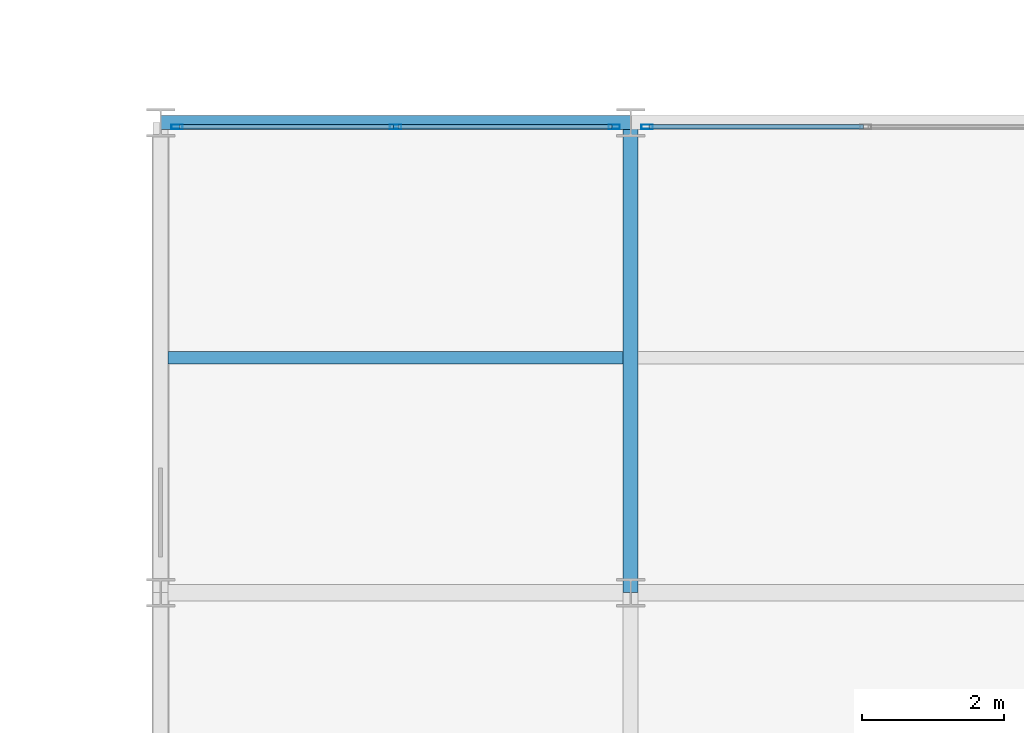
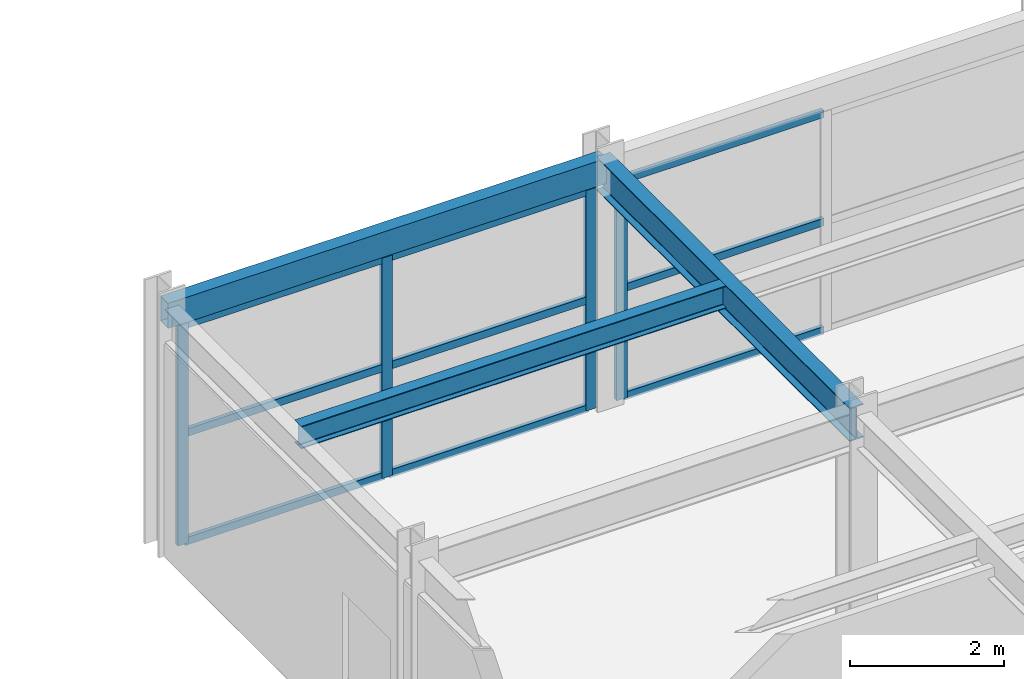
# One storey, part 65 of 157: 13 members, 3 beams, 2 elements without a shape of their own.
"""IFC4 building model written with IfcOpenShell, lengths in metres."""

from ifc_helpers import new_model, si_unit, direction, frame, origin, origin_2d, place, context, subcontext, project, spatial, hollow_rectangle, i_section, extrude, material, material_profile, profile_set, type_object, element, aggregate, save


model = new_model("IFC4")

# Units and contexts
model_context = context("Model", 3, precision=1e-05, world=origin(), true_north=direction((0.0, 1.0)))
body_context = subcontext(model_context, "Body", "Model", "MODEL_VIEW")
ifc_project = project(units=[si_unit("LENGTHUNIT", "METRE"), si_unit("AREAUNIT", "SQUARE_METRE"), si_unit("VOLUMEUNIT", "CUBIC_METRE"), si_unit("PLANEANGLEUNIT", "RADIAN"), si_unit("MASSUNIT", "GRAM", prefix="KILO")], contexts=[model_context])

# Site, building, storey
site_placement = place(None, origin())
site = spatial("IfcSite", under=ifc_project, at=site_placement, CompositionType="ELEMENT")
building_placement = place(site_placement, origin())
building = spatial("IfcBuilding", under=site, at=building_placement, Name="Karori Crest Natural Sciences Institute", CompositionType="ELEMENT")
storey_placement = place(building_placement, frame((0.0, 0.0, 13.300048828125)))
storey = spatial("IfcBuildingStorey", under=building, at=storey_placement, Name="L03", CompositionType="ELEMENT", Elevation=13.300048828125)

# Beams
ifc_material_1 = material(Name="Structural steel AS/NZS 3679.1 Grade 350", Category="steel")
ifc_material_profile_1 = material_profile(ifc_material_1, i_section(OverallWidth=0.208984375, OverallDepth=0.532958984375, WebThickness=0.01025390625, FlangeThickness=0.015625, FilletRadius=0.013916015625, at=origin_2d()), Name="530UB92.4")
ifc_profile_set_1 = profile_set([ifc_material_profile_1], Name="Structural steel AS/NZS 3679.1 Grade 350")
beam_type_1 = type_object("IfcBeamType", Name="BT-05", PredefinedType="BEAM", material=ifc_profile_set_1)
beam_1_placement = place(storey_placement, frame((110.199951171875, 14.0, 3.653564453125), z_axis=(0.0, 1.0, 0.0), x_axis=(-1.0, 0.0, 0.0)))
element("IfcBeam", 1, at=beam_1_placement, inside=storey, type_object=beam_type_1, Name="Beam B-2320", PredefinedType="BEAM", context=body_context, shape_type="SweptSolid", body=[
    extrude(i_section(OverallWidth=0.208984375, OverallDepth=0.532958984375, WebThickness=0.01025390625, FlangeThickness=0.015625, FilletRadius=0.013916015625, at=origin_2d()), origin(), (0.0, 0.0, 1.0), 6.60009765625),
])
ifc_material_profile_2 = material_profile(ifc_material_1, i_section(OverallWidth=0.172119140625, OverallDepth=0.35888671875, WebThickness=0.008056640625, FlangeThickness=0.012939453125, FilletRadius=0.010986328125, at=origin_2d()), Name="360UB56.7")
ifc_profile_set_2 = profile_set([ifc_material_profile_2], Name="Structural steel AS/NZS 3679.1 Grade 350")
beam_type_2 = type_object("IfcBeamType", Name="BT-08", PredefinedType="BEAM", material=ifc_profile_set_2)
beam_2_placement = place(storey_placement, frame((103.70458984375, 17.300048828125, 3.740478515625), z_axis=(1.0, 0.0, 0.0), x_axis=(0.0, 1.0, 0.0)))
element("IfcBeam", 2, at=beam_2_placement, inside=storey, type_object=beam_type_2, Name="Beam B-2346", PredefinedType="BEAM", context=body_context, shape_type="SweptSolid", body=[
    extrude(i_section(OverallWidth=0.172119140625, OverallDepth=0.35888671875, WebThickness=0.008056640625, FlangeThickness=0.012939453125, FilletRadius=0.010986328125, at=origin_2d()), origin(), (0.0, 0.0, 1.0), 6.390869140625),
])
ifc_material_2 = material(Name="Hollow structural steel AS/NZS 1163 Grade C350", Category="steel")
ifc_material_profile_3 = material_profile(ifc_material_2, hollow_rectangle(XDim=0.199951171875, YDim=0.39990234375, WallThickness=0.012451171875, at=origin_2d()), Name="RHS400x200x12.5")
ifc_profile_set_3 = profile_set([ifc_material_profile_3], Name="Hollow structural steel AS/NZS 1163 Grade C350")
beam_type_3 = type_object("IfcBeamType", Name="BT-14", PredefinedType="SPANDREL", material=ifc_profile_set_3)
beam_3_placement = place(storey_placement, frame((103.60009765625, 20.60009765625, 3.719970703125), z_axis=(1.0, 0.0, 0.0), x_axis=(0.0, 1.0, 0.0)))
element("IfcBeam", 3, at=beam_3_placement, inside=storey, type_object=beam_type_3, Name="Beam B-2306", PredefinedType="SPANDREL", context=body_context, shape_type="SweptSolid", body=[
    extrude(hollow_rectangle(XDim=0.199951171875, YDim=0.39990234375, WallThickness=0.012451171875, at=origin_2d()), origin(), (0.0, 0.0, 1.0), 6.599853515625),
])

# Curtain wall, members
ifc_material_3 = material(Name="Anodised architectural aluminium 6063-T6", Category="aluminium")
curtain_wall_type = type_object("IfcCurtainWallType", Name="CWT-20", PredefinedType="NOTDEFINED", material=ifc_material_3)
curtain_wall_1_placement = place(storey_placement, origin())
curtain_wall_1 = element("IfcCurtainWall", 4, at=curtain_wall_1_placement, inside=storey, type_object=curtain_wall_type, Name="Curtain wall CW-0322", PredefinedType="NOTDEFINED")
ifc_material_profile_4 = material_profile(ifc_material_3, hollow_rectangle(XDim=0.06494140625, YDim=0.159912109375, WallThickness=0.00390625, at=origin_2d()), Name="CWM160x65x4")
ifc_profile_set_4 = profile_set([ifc_material_profile_4], Name="Anodised architectural aluminium 6063-T6")
member_type_1 = type_object("IfcMemberType", Name="CWM-01", PredefinedType="MULLION", material=ifc_profile_set_4)
member_1_placement = place(storey_placement, frame((103.83056640625, 20.5400390625, 0.0), z_axis=(0.0, 0.0, 1.0), x_axis=(0.0, 1.0, 0.0)))
member_1 = element("IfcMember", 5, at=member_1_placement, type_object=member_type_1, Name="CW-0322 mullion 1", PredefinedType="MULLION", context=body_context, shape_type="SweptSolid", body=[
    extrude(hollow_rectangle(XDim=0.06494140625, YDim=0.159912109375, WallThickness=0.00390625, at=origin_2d()), origin(), (0.0, 0.0, 1.0), 3.5048828125),
])
member_2_placement = place(storey_placement, frame((106.89990234375, 20.5400390625, 0.0), z_axis=(0.0, 0.0, 1.0), x_axis=(0.0, 1.0, 0.0)))
member_2 = element("IfcMember", 6, at=member_2_placement, type_object=member_type_1, Name="CW-0322 mullion 2", PredefinedType="MULLION", context=body_context, shape_type="SweptSolid", body=[
    extrude(hollow_rectangle(XDim=0.06494140625, YDim=0.159912109375, WallThickness=0.00390625, at=origin_2d()), origin(), (0.0, 0.0, 1.0), 3.5048828125),
])
member_3_placement = place(storey_placement, frame((109.969482421875, 20.5400390625, 0.0), z_axis=(0.0, 0.0, 1.0), x_axis=(0.0, 1.0, 0.0)))
member_3 = element("IfcMember", 7, at=member_3_placement, type_object=member_type_1, Name="CW-0322 mullion 3", PredefinedType="MULLION", context=body_context, shape_type="SweptSolid", body=[
    extrude(hollow_rectangle(XDim=0.06494140625, YDim=0.159912109375, WallThickness=0.00390625, at=origin_2d()), origin(), (0.0, 0.0, 1.0), 3.5048828125),
])

# Curtain wall, member
curtain_wall_2_placement = place(storey_placement, origin())
curtain_wall_2 = element("IfcCurtainWall", 8, at=curtain_wall_2_placement, inside=storey, type_object=curtain_wall_type, Name="Curtain wall CW-0323", PredefinedType="NOTDEFINED")
member_4_placement = place(storey_placement, frame((110.430419921875, 20.5400390625, 0.0), z_axis=(0.0, 0.0, 1.0), x_axis=(0.0, 1.0, 0.0)))
member_4 = element("IfcMember", 9, at=member_4_placement, type_object=member_type_1, Name="CW-0323 mullion 1", PredefinedType="MULLION", context=body_context, shape_type="SweptSolid", body=[
    extrude(hollow_rectangle(XDim=0.06494140625, YDim=0.159912109375, WallThickness=0.00390625, at=origin_2d()), origin(), (0.0, 0.0, 1.0), 3.5048828125),
])

# Member
ifc_material_profile_5 = material_profile(ifc_material_3, hollow_rectangle(XDim=0.06005859375, YDim=0.1201171875, WallThickness=0.00390625, at=origin_2d()), Name="CWT120x60x4")
ifc_profile_set_5 = profile_set([ifc_material_profile_5], Name="Anodised architectural aluminium 6063-T6")
member_type_2 = type_object("IfcMemberType", Name="CWT-TR1", PredefinedType="USERDEFINED", material=ifc_profile_set_5)
member_5_placement = place(storey_placement, frame((103.863037109375, 20.5400390625, 0.030029296875), z_axis=(1.0, 0.0, 0.0), x_axis=(0.0, 1.0, 0.0)))
member_5 = element("IfcMember", 10, at=member_5_placement, type_object=member_type_2, Name="CW-0322 transom 1.1", ObjectType="TRANSOM", PredefinedType="USERDEFINED", context=body_context, shape_type="SweptSolid", body=[
    extrude(hollow_rectangle(XDim=0.06005859375, YDim=0.1201171875, WallThickness=0.00390625, at=origin_2d()), origin(), (0.0, 0.0, 1.0), 3.00439453125),
])

member_6_placement = place(storey_placement, frame((103.863037109375, 20.5400390625, 1.75244140625), z_axis=(1.0, 0.0, 0.0), x_axis=(0.0, 1.0, 0.0)))
member_6 = element("IfcMember", 11, at=member_6_placement, type_object=member_type_2, Name="CW-0322 transom 1.2", ObjectType="TRANSOM", PredefinedType="USERDEFINED", context=body_context, shape_type="SweptSolid", body=[
    extrude(hollow_rectangle(XDim=0.06005859375, YDim=0.1201171875, WallThickness=0.00390625, at=origin_2d()), origin(), (0.0, 0.0, 1.0), 3.00439453125),
])

member_7_placement = place(storey_placement, frame((103.863037109375, 20.5400390625, 3.474853515625), z_axis=(1.0, 0.0, 0.0), x_axis=(0.0, 1.0, 0.0)))
member_7 = element("IfcMember", 12, at=member_7_placement, type_object=member_type_2, Name="CW-0322 transom 1.3", ObjectType="TRANSOM", PredefinedType="USERDEFINED", context=body_context, shape_type="SweptSolid", body=[
    extrude(hollow_rectangle(XDim=0.06005859375, YDim=0.1201171875, WallThickness=0.00390625, at=origin_2d()), origin(), (0.0, 0.0, 1.0), 3.00439453125),
])

member_8_placement = place(storey_placement, frame((106.9326171875, 20.5400390625, 0.030029296875), z_axis=(1.0, 0.0, 0.0), x_axis=(0.0, 1.0, 0.0)))
member_8 = element("IfcMember", 13, at=member_8_placement, type_object=member_type_2, Name="CW-0322 transom 2.1", ObjectType="TRANSOM", PredefinedType="USERDEFINED", context=body_context, shape_type="SweptSolid", body=[
    extrude(hollow_rectangle(XDim=0.06005859375, YDim=0.1201171875, WallThickness=0.00390625, at=origin_2d()), origin(), (0.0, 0.0, 1.0), 3.00439453125),
])

member_9_placement = place(storey_placement, frame((106.9326171875, 20.5400390625, 1.75244140625), z_axis=(1.0, 0.0, 0.0), x_axis=(0.0, 1.0, 0.0)))
member_9 = element("IfcMember", 14, at=member_9_placement, type_object=member_type_2, Name="CW-0322 transom 2.2", ObjectType="TRANSOM", PredefinedType="USERDEFINED", context=body_context, shape_type="SweptSolid", body=[
    extrude(hollow_rectangle(XDim=0.06005859375, YDim=0.1201171875, WallThickness=0.00390625, at=origin_2d()), origin(), (0.0, 0.0, 1.0), 3.00439453125),
])

member_10_placement = place(storey_placement, frame((106.9326171875, 20.5400390625, 3.474853515625), z_axis=(1.0, 0.0, 0.0), x_axis=(0.0, 1.0, 0.0)))
member_10 = element("IfcMember", 15, at=member_10_placement, type_object=member_type_2, Name="CW-0322 transom 2.3", ObjectType="TRANSOM", PredefinedType="USERDEFINED", context=body_context, shape_type="SweptSolid", body=[
    extrude(hollow_rectangle(XDim=0.06005859375, YDim=0.1201171875, WallThickness=0.00390625, at=origin_2d()), origin(), (0.0, 0.0, 1.0), 3.00439453125),
])

aggregate(curtain_wall_1, [member_1, member_2, member_3, member_5, member_6, member_7, member_8, member_9, member_10])

member_11_placement = place(storey_placement, frame((110.462890625, 20.5400390625, 0.030029296875), z_axis=(1.0, 0.0, 0.0), x_axis=(0.0, 1.0, 0.0)))
member_11 = element("IfcMember", 16, at=member_11_placement, type_object=member_type_2, Name="CW-0323 transom 1.1", ObjectType="TRANSOM", PredefinedType="USERDEFINED", context=body_context, shape_type="SweptSolid", body=[
    extrude(hollow_rectangle(XDim=0.06005859375, YDim=0.1201171875, WallThickness=0.00390625, at=origin_2d()), origin(), (0.0, 0.0, 1.0), 3.004638671875),
])

member_12_placement = place(storey_placement, frame((110.462890625, 20.5400390625, 1.75244140625), z_axis=(1.0, 0.0, 0.0), x_axis=(0.0, 1.0, 0.0)))
member_12 = element("IfcMember", 17, at=member_12_placement, type_object=member_type_2, Name="CW-0323 transom 1.2", ObjectType="TRANSOM", PredefinedType="USERDEFINED", context=body_context, shape_type="SweptSolid", body=[
    extrude(hollow_rectangle(XDim=0.06005859375, YDim=0.1201171875, WallThickness=0.00390625, at=origin_2d()), origin(), (0.0, 0.0, 1.0), 3.004638671875),
])

member_13_placement = place(storey_placement, frame((110.462890625, 20.5400390625, 3.474853515625), z_axis=(1.0, 0.0, 0.0), x_axis=(0.0, 1.0, 0.0)))
member_13 = element("IfcMember", 18, at=member_13_placement, type_object=member_type_2, Name="CW-0323 transom 1.3", ObjectType="TRANSOM", PredefinedType="USERDEFINED", context=body_context, shape_type="SweptSolid", body=[
    extrude(hollow_rectangle(XDim=0.06005859375, YDim=0.1201171875, WallThickness=0.00390625, at=origin_2d()), origin(), (0.0, 0.0, 1.0), 3.004638671875),
])

aggregate(curtain_wall_2, [member_4, member_11, member_12, member_13])

save(model, "model.ifc")
